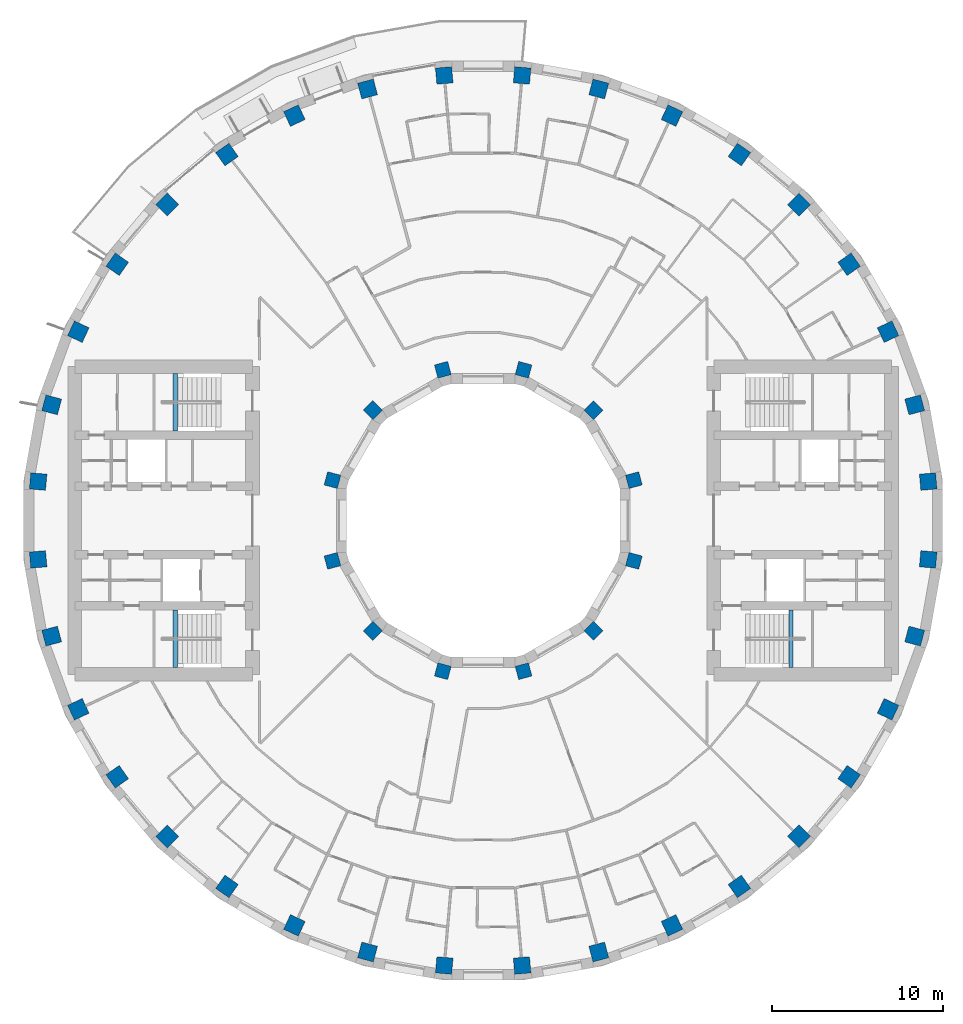
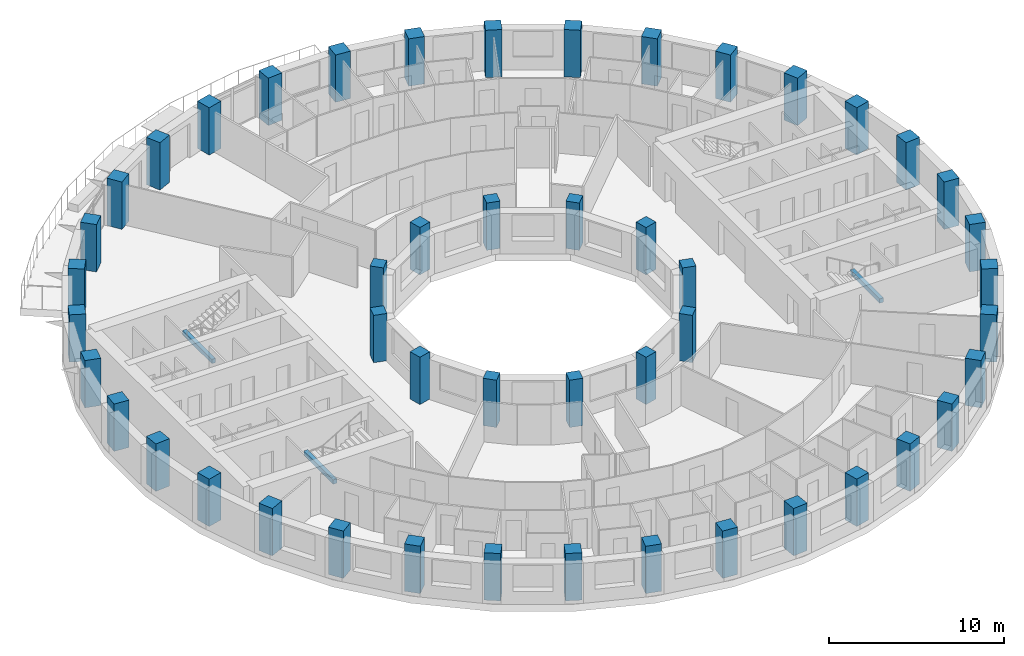
# One storey, part 1 of 14: 48 columns, 3 beams.
"""IFC4 building model written with IfcOpenShell, lengths in metres."""

from ifc_helpers import new_model, si_unit, direction, frame, origin, origin_2d, place, context, subcontext, project, spatial, rectangle, extrude, material, material_profile, profile_set, type_object, element, save


model = new_model("IFC4")

# Units and contexts
model_context = context("Model", 3, precision=1e-05, world=origin(), true_north=direction((0.0, 1.0)))
body_context = subcontext(model_context, "Body", "Model", "MODEL_VIEW")
ifc_project = project(units=[si_unit("LENGTHUNIT", "METRE"), si_unit("AREAUNIT", "SQUARE_METRE"), si_unit("VOLUMEUNIT", "CUBIC_METRE"), si_unit("PLANEANGLEUNIT", "RADIAN"), si_unit("MASSUNIT", "GRAM", prefix="KILO")], contexts=[model_context])

# Site, building, storey
site_placement = place(None, origin())
site = spatial("IfcSite", under=ifc_project, at=site_placement, CompositionType="ELEMENT")
building_placement = place(site_placement, origin())
building = spatial("IfcBuilding", under=site, at=building_placement, Name="Saqina Gate Tower", CompositionType="ELEMENT")
storey_placement = place(building_placement, frame((0.0, 0.0, 98.5)))
storey = spatial("IfcBuildingStorey", under=building, at=storey_placement, Name="L27", CompositionType="ELEMENT", Elevation=98.5)

# Columns
ifc_material_1 = material(Name="Concrete C70/85", Category="concrete")
ifc_material_profile_1 = material_profile(ifc_material_1, rectangle(XDim=0.800048828125, YDim=0.800048828125, at=origin_2d()), Name="RC 800x800")
ifc_profile_set_1 = profile_set([ifc_material_profile_1], Name="Concrete C70/85")
column_type_1 = type_object("IfcColumnType", Name="STR-COL-IN-B", PredefinedType="COLUMN", material=ifc_profile_set_1)
for number, where, z_axis, x_axis, name in (
    (1, (8.821044921875, 2.363525390625, 0.0), (0.0, 0.0, 1.0), (0.965925826289, 0.258819045103, 0.0), "L27-ICL01"),
    (2, (6.45751953125, 6.45751953125, 0.0), (0.0, 0.0, 1.0), (0.707106781187, 0.707106781187, 0.0), "L27-ICL02"),
    (3, (2.363525390625, 8.821044921875, 0.0), (0.0, 0.0, 1.0), (0.258819045103, 0.965925826289, 0.0), "L27-ICL03"),
    (4, (-2.363525390625, 8.821044921875, 0.0), (0.0, 0.0, 1.0), (-0.258819045103, 0.965925826289, 0.0), "L27-ICL04"),
    (5, (-6.45751953125, 6.45751953125, 0.0), (0.0, 0.0, 1.0), (-0.707106781187, 0.707106781187, 0.0), "L27-ICL05"),
    (6, (-8.821044921875, 2.363525390625, 0.0), (0.0, 0.0, 1.0), (-0.965925826289, 0.258819045103, 0.0), "L27-ICL06"),
    (7, (-8.821044921875, -2.363525390625, 0.0), (0.0, 0.0, 1.0), (-0.965925826289, -0.258819045103, 0.0), "L27-ICL07"),
    (8, (-6.45751953125, -6.45751953125, 0.0), (0.0, 0.0, 1.0), (-0.707106781187, -0.707106781187, 0.0), "L27-ICL08"),
    (9, (-2.363525390625, -8.821044921875, 0.0), (0.0, 0.0, 1.0), (-0.258819045103, -0.965925826289, 0.0), "L27-ICL09"),
    (10, (2.363525390625, -8.821044921875, 0.0), (0.0, 0.0, 1.0), (0.258819045103, -0.965925826289, 0.0), "L27-ICL10"),
    (11, (6.45751953125, -6.45751953125, 0.0), (0.0, 0.0, 1.0), (0.707106781187, -0.707106781187, 0.0), "L27-ICL11"),
    (12, (8.821044921875, -2.363525390625, 0.0), (0.0, 0.0, 1.0), (0.965925826289, -0.258819045103, 0.0), "L27-ICL12"),
):
    element("IfcColumn", number, at=place(storey_placement, frame(where, z_axis=z_axis, x_axis=x_axis)), inside=storey, type_object=column_type_1, Name=name, PredefinedType="COLUMN", context=body_context, shape_type="SweptSolid", body=[
        extrude(rectangle(XDim=0.800048828125, YDim=0.800048828125, at=origin_2d()), origin(), (0.0, 0.0, 1.0), 3.300048828125),
    ])
ifc_material_2 = material(Name="Concrete C70/85", Category="concrete")
ifc_material_profile_2 = material_profile(ifc_material_2, rectangle(XDim=0.949951171875, YDim=0.949951171875, at=origin_2d()), Name="RC 950x950")
ifc_profile_set_2 = profile_set([ifc_material_profile_2], Name="Concrete C70/85")
column_type_2 = type_object("IfcColumnType", Name="STR-COL-OUT-B", PredefinedType="COLUMN", material=ifc_profile_set_2)
for number, where, z_axis, x_axis, name in (
    (13, (26.050537109375, 2.279052734375, 0.0), (0.0, 0.0, 1.0), (0.996194698092, 0.087155742748, 0.0), "L27-COL01"),
    (14, (25.259033203125, 6.76806640625, 0.0), (0.0, 0.0, 1.0), (0.965925826289, 0.258819045103, 0.0), "L27-COL02"),
    (15, (23.699951171875, 11.051513671875, 0.0), (0.0, 0.0, 1.0), (0.906307787037, 0.422618261741, 0.0), "L27-COL03"),
    (16, (21.4208984375, 14.9990234375, 0.0), (0.0, 0.0, 1.0), (0.819152044289, 0.573576436351, 0.0), "L27-COL04"),
    (17, (18.49072265625, 18.49072265625, 0.0), (0.0, 0.0, 1.0), (0.707106781187, 0.707106781187, 0.0), "L27-COL05"),
    (18, (14.9990234375, 21.4208984375, 0.0), (0.0, 0.0, 1.0), (0.573576436351, 0.819152044289, 0.0), "L27-COL06"),
    (19, (11.051513671875, 23.699951171875, 0.0), (0.0, 0.0, 1.0), (0.422618261741, 0.906307787037, 0.0), "L27-COL07"),
    (20, (6.76806640625, 25.259033203125, 0.0), (0.0, 0.0, 1.0), (0.258819045103, 0.965925826289, 0.0), "L27-COL08"),
    (21, (2.279052734375, 26.050537109375, 0.0), (0.0, 0.0, 1.0), (0.087155742748, 0.996194698092, 0.0), "L27-COL09"),
    (22, (-2.279052734375, 26.050537109375, 0.0), (0.0, 0.0, 1.0), (-0.087155742748, 0.996194698092, 0.0), "L27-COL10"),
    (23, (-6.76806640625, 25.259033203125, 0.0), (0.0, 0.0, 1.0), (-0.258819045103, 0.965925826289, 0.0), "L27-COL11"),
    (24, (-11.051513671875, 23.699951171875, 0.0), (0.0, 0.0, 1.0), (-0.422618261741, 0.906307787037, 0.0), "L27-COL12"),
    (25, (-14.9990234375, 21.4208984375, 0.0), (0.0, 0.0, 1.0), (-0.573576436351, 0.819152044289, 0.0), "L27-COL13"),
    (26, (-18.49072265625, 18.49072265625, 0.0), (0.0, 0.0, 1.0), (-0.707106781187, 0.707106781187, 0.0), "L27-COL14"),
    (27, (-21.4208984375, 14.9990234375, 0.0), (0.0, 0.0, 1.0), (-0.819152044289, 0.573576436351, 0.0), "L27-COL15"),
    (28, (-23.699951171875, 11.051513671875, 0.0), (0.0, 0.0, 1.0), (-0.906307787037, 0.422618261741, 0.0), "L27-COL16"),
    (29, (-25.259033203125, 6.76806640625, 0.0), (0.0, 0.0, 1.0), (-0.965925826289, 0.258819045103, 0.0), "L27-COL17"),
    (30, (-26.050537109375, 2.279052734375, 0.0), (0.0, 0.0, 1.0), (-0.996194698092, 0.087155742748, 0.0), "L27-COL18"),
    (31, (-26.050537109375, -2.279052734375, 0.0), (0.0, 0.0, 1.0), (-0.996194698092, -0.087155742748, 0.0), "L27-COL19"),
    (32, (-25.259033203125, -6.76806640625, 0.0), (0.0, 0.0, 1.0), (-0.965925826289, -0.258819045103, 0.0), "L27-COL20"),
    (33, (-23.699951171875, -11.051513671875, 0.0), (0.0, 0.0, 1.0), (-0.906307787037, -0.422618261741, 0.0), "L27-COL21"),
    (34, (-21.4208984375, -14.9990234375, 0.0), (0.0, 0.0, 1.0), (-0.819152044289, -0.573576436351, 0.0), "L27-COL22"),
    (35, (-18.49072265625, -18.49072265625, 0.0), (0.0, 0.0, 1.0), (-0.707106781187, -0.707106781187, 0.0), "L27-COL23"),
    (36, (-14.9990234375, -21.4208984375, 0.0), (0.0, 0.0, 1.0), (-0.573576436351, -0.819152044289, 0.0), "L27-COL24"),
    (37, (-11.051513671875, -23.699951171875, 0.0), (0.0, 0.0, 1.0), (-0.422618261741, -0.906307787037, 0.0), "L27-COL25"),
    (38, (-6.76806640625, -25.259033203125, 0.0), (0.0, 0.0, 1.0), (-0.258819045103, -0.965925826289, 0.0), "L27-COL26"),
    (39, (-2.279052734375, -26.050537109375, 0.0), (0.0, 0.0, 1.0), (-0.087155742748, -0.996194698092, 0.0), "L27-COL27"),
    (40, (2.279052734375, -26.050537109375, 0.0), (0.0, 0.0, 1.0), (0.087155742748, -0.996194698092, 0.0), "L27-COL28"),
    (41, (6.76806640625, -25.259033203125, 0.0), (0.0, 0.0, 1.0), (0.258819045103, -0.965925826289, 0.0), "L27-COL29"),
    (42, (11.051513671875, -23.699951171875, 0.0), (0.0, 0.0, 1.0), (0.422618261741, -0.906307787037, 0.0), "L27-COL30"),
    (43, (14.9990234375, -21.4208984375, 0.0), (0.0, 0.0, 1.0), (0.573576436351, -0.819152044289, 0.0), "L27-COL31"),
    (44, (18.49072265625, -18.49072265625, 0.0), (0.0, 0.0, 1.0), (0.707106781187, -0.707106781187, 0.0), "L27-COL32"),
    (45, (21.4208984375, -14.9990234375, 0.0), (0.0, 0.0, 1.0), (0.819152044289, -0.573576436351, 0.0), "L27-COL33"),
    (46, (23.699951171875, -11.051513671875, 0.0), (0.0, 0.0, 1.0), (0.906307787037, -0.422618261741, 0.0), "L27-COL34"),
    (47, (25.259033203125, -6.76806640625, 0.0), (0.0, 0.0, 1.0), (0.965925826289, -0.258819045103, 0.0), "L27-COL35"),
    (48, (26.050537109375, -2.279052734375, 0.0), (0.0, 0.0, 1.0), (0.996194698092, -0.087155742748, 0.0), "L27-COL36"),
):
    element("IfcColumn", number, at=place(storey_placement, frame(where, z_axis=z_axis, x_axis=x_axis)), inside=storey, type_object=column_type_2, Name=name, PredefinedType="COLUMN", context=body_context, shape_type="SweptSolid", body=[
        extrude(rectangle(XDim=0.949951171875, YDim=0.949951171875, at=origin_2d()), origin(), (0.0, 0.0, 1.0), 3.300048828125),
    ])

# Beams
ifc_material_3 = material(Name="Concrete C40/50", Category="concrete")
ifc_material_profile_3 = material_profile(ifc_material_3, rectangle(XDim=0.25, YDim=0.300048828125, at=origin_2d()), Name="STAIR LANDING BEAM")
ifc_profile_set_3 = profile_set([ifc_material_profile_3], Name="Concrete C40/50")
beam_type = type_object("IfcBeamType", Name="STAIR LANDING BEAM", PredefinedType="BEAM", material=ifc_profile_set_3)
for number, where, z_axis, x_axis, name in (
    (49, (18.02001953125, -8.60009765625, 1.25), (0.0, 1.0, 0.0), (-1.0, 0.0, 0.0), "EXIT STAIR 2 LANDING BEAM"),
    (50, (-18.02001953125, 5.25, 1.25), (0.0, 1.0, 0.0), (-1.0, 0.0, 0.0), "EXIT STAIR 3 LANDING BEAM"),
    (51, (-18.02001953125, -8.60009765625, 1.25), (0.0, 1.0, 0.0), (-1.0, 0.0, 0.0), "EXIT STAIR 4 LANDING BEAM"),
):
    element("IfcBeam", number, at=place(storey_placement, frame(where, z_axis=z_axis, x_axis=x_axis)), inside=storey, type_object=beam_type, Name=name, PredefinedType="BEAM", context=body_context, shape_type="SweptSolid", body=[
        extrude(rectangle(XDim=0.25, YDim=0.300048828125, at=origin_2d()), origin(), (0.0, 0.0, 1.0), 3.35009765625),
    ])

save(model, "model.ifc")
